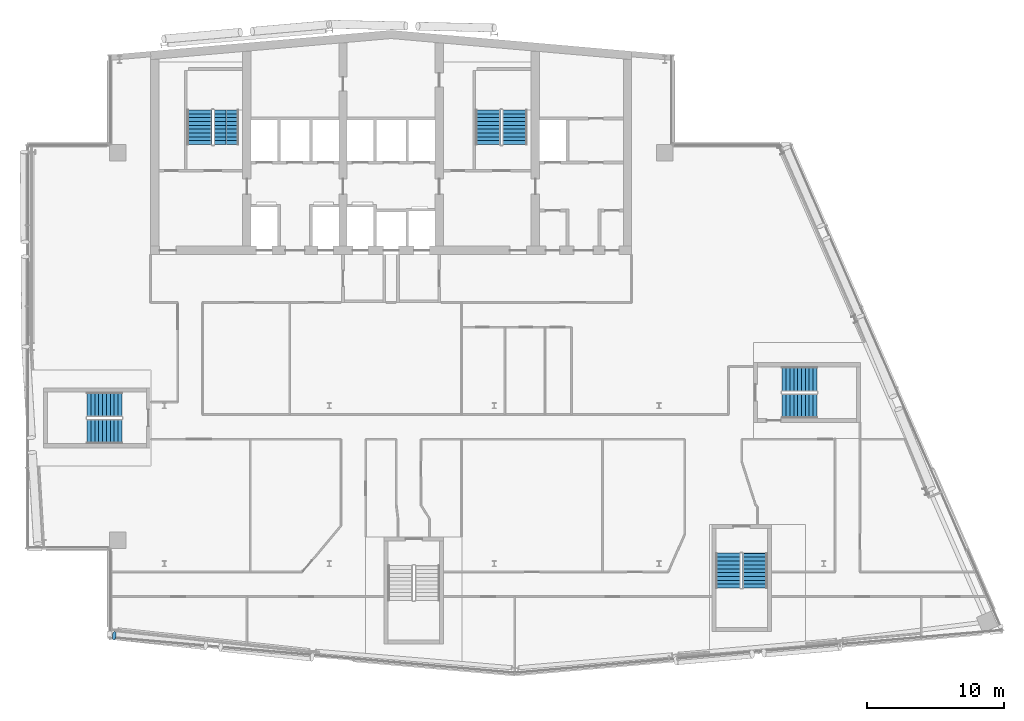
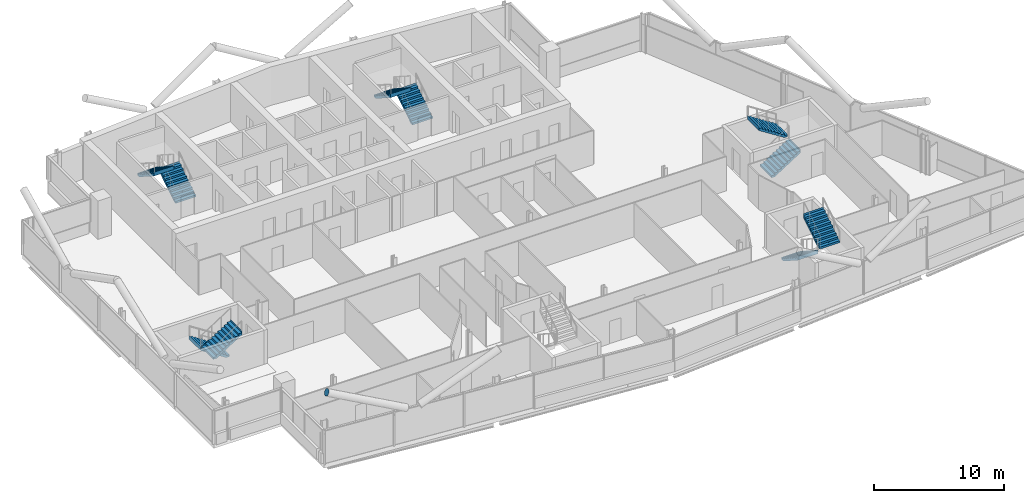
# One storey, part 20 of 27: 10 stair flights, 1 discrete accessory, 5 elements without a shape of their own.
"""IFC4 building model written with IfcOpenShell, lengths in metres."""

from ifc_helpers import new_model, si_unit, direction, frame, origin, origin_2d, place, context, subcontext, project, spatial, polyline, circle, outline, extrude, material, material_profile, profile_set, type_object, element, aggregate, save


model = new_model("IFC4")

# Units and contexts
model_context = context("Model", 3, precision=1e-05, world=origin(), true_north=direction((0.0, 1.0)))
body_context = subcontext(model_context, "Body", "Model", "MODEL_VIEW")
ifc_project = project(units=[si_unit("LENGTHUNIT", "METRE"), si_unit("AREAUNIT", "SQUARE_METRE"), si_unit("VOLUMEUNIT", "CUBIC_METRE"), si_unit("PLANEANGLEUNIT", "RADIAN"), si_unit("MASSUNIT", "GRAM", prefix="KILO")], contexts=[model_context])

# Site, building, storey
site_placement = place(None, origin())
site = spatial("IfcSite", under=ifc_project, at=site_placement, CompositionType="ELEMENT")
building_placement = place(site_placement, origin())
building = spatial("IfcBuilding", under=site, at=building_placement, Name="Wharfspan Tower", CompositionType="ELEMENT")
storey_placement = place(building_placement, frame((0.0, 0.0, 243.100098)))
storey = spatial("IfcBuildingStorey", under=building, at=storey_placement, Name="L61", CompositionType="ELEMENT", Elevation=243.100098)

# Stair, stair flights
ifc_material_1 = material(Name="Concrete C40/50", Category="concrete")
stair_type = type_object("IfcStairType", Name="Half-turn stair 20 risers 180 mm", PredefinedType="HALF_TURN_STAIR", material=ifc_material_1)
stair_1_placement = place(storey_placement, origin())
stair_1 = element("IfcStair", 1, at=stair_1_placement, inside=storey, type_object=stair_type, Name="L61 stair ST1", PredefinedType="HALF_TURN_STAIR")
stair_flight_type = type_object("IfcStairFlightType", Name="Stair flight 20 risers 180 mm", PredefinedType="STRAIGHT", material=ifc_material_1)
stair_flight_1_placement = place(storey_placement, frame((28.5, 42.0, 0.0), z_axis=(0.0, 0.0, 1.0), x_axis=(0.0, 1.0, 0.0)))
stair_flight_1 = element("IfcStairFlight", 2, at=stair_flight_1_placement, type_object=stair_flight_type, Name="ST1 flight 1", NumberOfRisers=10, NumberOfTreads=9, PredefinedType="STRAIGHT", RiserHeight=0.18, TreadLength=0.28, context=body_context, shape_type="SweptSolid", body=[
    extrude(outline(polyline([(-0.011963, 0.0), (-0.011963, 0.179932), (0.0, 0.179932), (0.280029, 0.179932), (0.280029, 0.360107), (0.560059, 0.360107), (0.560059, 0.540039), (0.840088, 0.540039), (0.840088, 0.719971), (1.120117, 0.719971), (1.120117, 0.899902), (1.399902, 0.899902), (1.399902, 1.080078), (1.679932, 1.080078), (1.679932, 1.26001), (1.959961, 1.26001), (1.959961, 1.439941), (2.23999, 1.439941), (2.23999, 1.620117), (2.52002, 1.620117), (2.531982, 1.800049), (2.531982, 1.441895), (0.2771, 0.0), (-0.011963, 0.0)])), frame((0.0, 0.899902, 0.0), z_axis=(0.0, -1.0, 0.0), x_axis=(1.0, 0.0, 0.0)), (0.0, 0.0, 1.0), 0.899414),
    extrude(outline(polyline([(-0.011963, 0.0), (-0.011963, 0.179932), (0.0, 0.179932), (0.280029, 0.179932), (0.280029, 0.360107), (0.560059, 0.360107), (0.560059, 0.540039), (0.840088, 0.540039), (0.840088, 0.719971), (1.120117, 0.719971), (1.120117, 0.899902), (1.399902, 0.899902), (1.399902, 1.080078), (1.679932, 1.080078), (1.679932, 1.26001), (1.959961, 1.26001), (1.959961, 1.439941), (2.23999, 1.439941), (2.23999, 1.620117), (2.52002, 1.620117), (2.531982, 1.800049), (2.531982, 1.441895), (0.2771, 0.0), (-0.011963, 0.0)])), frame((0.0, -0.000488, 0.0), z_axis=(0.0, -1.0, 0.0), x_axis=(1.0, 0.0, 0.0)), (0.0, 0.0, 1.0), 0.899414),
])
stair_flight_2_placement = place(storey_placement, frame((26.550049, 44.52002, 1.799805), z_axis=(0.0, 0.0, 1.0), x_axis=(0.0, -1.0, 0.0)))
stair_flight_2 = element("IfcStairFlight", 3, at=stair_flight_2_placement, type_object=stair_flight_type, Name="ST1 flight 2", NumberOfRisers=10, NumberOfTreads=9, PredefinedType="STRAIGHT", RiserHeight=0.18, TreadLength=0.28, context=body_context, shape_type="SweptSolid", body=[
    extrude(outline(polyline([(-0.011963, 0.0), (-0.011963, 0.179932), (0.0, 0.179932), (0.280029, 0.179932), (0.280029, 0.360107), (0.560059, 0.360107), (0.560059, 0.540039), (0.840088, 0.540039), (0.840088, 0.719971), (1.120117, 0.719971), (1.120117, 0.899902), (1.399902, 0.899902), (1.399902, 1.080078), (1.679932, 1.080078), (1.679932, 1.26001), (1.959961, 1.26001), (1.959961, 1.439941), (2.23999, 1.439941), (2.23999, 1.620117), (2.52002, 1.620117), (2.531982, 1.800049), (2.531982, 1.441895), (0.2771, 0.0), (-0.011963, 0.0)])), frame((0.0, 0.899902, 0.0), z_axis=(0.0, -1.0, 0.0), x_axis=(1.0, 0.0, 0.0)), (0.0, 0.0, 1.0), 0.899414),
    extrude(outline(polyline([(-0.011963, 0.0), (-0.011963, 0.179932), (0.0, 0.179932), (0.280029, 0.179932), (0.280029, 0.360107), (0.560059, 0.360107), (0.560059, 0.540039), (0.840088, 0.540039), (0.840088, 0.719971), (1.120117, 0.719971), (1.120117, 0.899902), (1.399902, 0.899902), (1.399902, 1.080078), (1.679932, 1.080078), (1.679932, 1.26001), (1.959961, 1.26001), (1.959961, 1.439941), (2.23999, 1.439941), (2.23999, 1.620117), (2.52002, 1.620117), (2.531982, 1.800049), (2.531982, 1.441895), (0.2771, 0.0), (-0.011963, 0.0)])), frame((0.0, -0.000488, 0.0), z_axis=(0.0, -1.0, 0.0), x_axis=(1.0, 0.0, 0.0)), (0.0, 0.0, 1.0), 0.899414),
])
aggregate(stair_1, [stair_flight_1, stair_flight_2])

stair_2_placement = place(storey_placement, origin())
stair_2 = element("IfcStair", 4, at=stair_2_placement, inside=storey, type_object=stair_type, Name="L61 stair ST2", PredefinedType="HALF_TURN_STAIR")
stair_flight_3_placement = place(storey_placement, frame((49.5, 42.0, 0.0), z_axis=(0.0, 0.0, 1.0), x_axis=(0.0, 1.0, 0.0)))
stair_flight_3 = element("IfcStairFlight", 5, at=stair_flight_3_placement, type_object=stair_flight_type, Name="ST2 flight 1", NumberOfRisers=10, NumberOfTreads=9, PredefinedType="STRAIGHT", RiserHeight=0.18, TreadLength=0.28, context=body_context, shape_type="SweptSolid", body=[
    extrude(outline(polyline([(-0.011963, 0.0), (-0.011963, 0.179932), (0.0, 0.179932), (0.280029, 0.179932), (0.280029, 0.360107), (0.560059, 0.360107), (0.560059, 0.540039), (0.840088, 0.540039), (0.840088, 0.719971), (1.120117, 0.719971), (1.120117, 0.899902), (1.399902, 0.899902), (1.399902, 1.080078), (1.679932, 1.080078), (1.679932, 1.26001), (1.959961, 1.26001), (1.959961, 1.439941), (2.23999, 1.439941), (2.23999, 1.620117), (2.52002, 1.620117), (2.531982, 1.800049), (2.531982, 1.441895), (0.2771, 0.0), (-0.011963, 0.0)])), frame((0.0, 0.899902, 0.0), z_axis=(0.0, -1.0, 0.0), x_axis=(1.0, 0.0, 0.0)), (0.0, 0.0, 1.0), 0.899414),
    extrude(outline(polyline([(-0.011963, 0.0), (-0.011963, 0.179932), (0.0, 0.179932), (0.280029, 0.179932), (0.280029, 0.360107), (0.560059, 0.360107), (0.560059, 0.540039), (0.840088, 0.540039), (0.840088, 0.719971), (1.120117, 0.719971), (1.120117, 0.899902), (1.399902, 0.899902), (1.399902, 1.080078), (1.679932, 1.080078), (1.679932, 1.26001), (1.959961, 1.26001), (1.959961, 1.439941), (2.23999, 1.439941), (2.23999, 1.620117), (2.52002, 1.620117), (2.531982, 1.800049), (2.531982, 1.441895), (0.2771, 0.0), (-0.011963, 0.0)])), frame((0.0, -0.000488, 0.0), z_axis=(0.0, -1.0, 0.0), x_axis=(1.0, 0.0, 0.0)), (0.0, 0.0, 1.0), 0.899414),
])
stair_flight_4_placement = place(storey_placement, frame((47.550049, 44.52002, 1.799805), z_axis=(0.0, 0.0, 1.0), x_axis=(0.0, -1.0, 0.0)))
stair_flight_4 = element("IfcStairFlight", 6, at=stair_flight_4_placement, type_object=stair_flight_type, Name="ST2 flight 2", NumberOfRisers=10, NumberOfTreads=9, PredefinedType="STRAIGHT", RiserHeight=0.18, TreadLength=0.28, context=body_context, shape_type="SweptSolid", body=[
    extrude(outline(polyline([(-0.011963, 0.0), (-0.011963, 0.179932), (0.0, 0.179932), (0.280029, 0.179932), (0.280029, 0.360107), (0.560059, 0.360107), (0.560059, 0.540039), (0.840088, 0.540039), (0.840088, 0.719971), (1.120117, 0.719971), (1.120117, 0.899902), (1.399902, 0.899902), (1.399902, 1.080078), (1.679932, 1.080078), (1.679932, 1.26001), (1.959961, 1.26001), (1.959961, 1.439941), (2.23999, 1.439941), (2.23999, 1.620117), (2.52002, 1.620117), (2.531982, 1.800049), (2.531982, 1.441895), (0.2771, 0.0), (-0.011963, 0.0)])), frame((0.0, 0.899902, 0.0), z_axis=(0.0, -1.0, 0.0), x_axis=(1.0, 0.0, 0.0)), (0.0, 0.0, 1.0), 0.899414),
    extrude(outline(polyline([(-0.011963, 0.0), (-0.011963, 0.179932), (0.0, 0.179932), (0.280029, 0.179932), (0.280029, 0.360107), (0.560059, 0.360107), (0.560059, 0.540039), (0.840088, 0.540039), (0.840088, 0.719971), (1.120117, 0.719971), (1.120117, 0.899902), (1.399902, 0.899902), (1.399902, 1.080078), (1.679932, 1.080078), (1.679932, 1.26001), (1.959961, 1.26001), (1.959961, 1.439941), (2.23999, 1.439941), (2.23999, 1.620117), (2.52002, 1.620117), (2.531982, 1.800049), (2.531982, 1.441895), (0.2771, 0.0), (-0.011963, 0.0)])), frame((0.0, -0.000488, 0.0), z_axis=(0.0, -1.0, 0.0), x_axis=(1.0, 0.0, 0.0)), (0.0, 0.0, 1.0), 0.899414),
])
aggregate(stair_2, [stair_flight_3, stair_flight_4])

stair_3_placement = place(storey_placement, origin())
stair_3 = element("IfcStair", 7, at=stair_3_placement, inside=storey, type_object=stair_type, Name="L61 stair ST3", PredefinedType="HALF_TURN_STAIR")
stair_flight_5_placement = place(storey_placement, frame((20.899902, 23.074951, 0.0), z_axis=(0.0, 0.0, 1.0), x_axis=(-1.0, 0.0, 0.0)))
stair_flight_5 = element("IfcStairFlight", 8, at=stair_flight_5_placement, type_object=stair_flight_type, Name="ST3 flight 1", NumberOfRisers=10, NumberOfTreads=9, PredefinedType="STRAIGHT", RiserHeight=0.18, TreadLength=0.28, context=body_context, shape_type="SweptSolid", body=[
    extrude(outline(polyline([(-0.011963, 0.0), (-0.011963, 0.179932), (0.0, 0.179932), (0.280029, 0.179932), (0.280029, 0.360107), (0.560059, 0.360107), (0.560059, 0.540039), (0.840088, 0.540039), (0.840088, 0.719971), (1.120117, 0.719971), (1.120117, 0.899902), (1.399902, 0.899902), (1.399902, 1.080078), (1.679932, 1.080078), (1.679932, 1.26001), (1.959961, 1.26001), (1.959961, 1.439941), (2.23999, 1.439941), (2.23999, 1.620117), (2.52002, 1.620117), (2.531982, 1.800049), (2.531982, 1.441895), (0.2771, 0.0), (-0.011963, 0.0)])), frame((0.0, 0.899902, 0.0), z_axis=(0.0, -1.0, 0.0), x_axis=(1.0, 0.0, 0.0)), (0.0, 0.0, 1.0), 0.899414),
    extrude(outline(polyline([(-0.011963, 0.0), (-0.011963, 0.179932), (0.0, 0.179932), (0.280029, 0.179932), (0.280029, 0.360107), (0.560059, 0.360107), (0.560059, 0.540039), (0.840088, 0.540039), (0.840088, 0.719971), (1.120117, 0.719971), (1.120117, 0.899902), (1.399902, 0.899902), (1.399902, 1.080078), (1.679932, 1.080078), (1.679932, 1.26001), (1.959961, 1.26001), (1.959961, 1.439941), (2.23999, 1.439941), (2.23999, 1.620117), (2.52002, 1.620117), (2.531982, 1.800049), (2.531982, 1.441895), (0.2771, 0.0), (-0.011963, 0.0)])), frame((0.0, -0.000488, 0.0), z_axis=(0.0, -1.0, 0.0), x_axis=(1.0, 0.0, 0.0)), (0.0, 0.0, 1.0), 0.899414),
])
stair_flight_6_placement = place(storey_placement, frame((18.379883, 21.125, 1.799805), z_axis=(0.0, 0.0, 1.0), x_axis=(1.0, 0.0, 0.0)))
stair_flight_6 = element("IfcStairFlight", 9, at=stair_flight_6_placement, type_object=stair_flight_type, Name="ST3 flight 2", NumberOfRisers=10, NumberOfTreads=9, PredefinedType="STRAIGHT", RiserHeight=0.18, TreadLength=0.28, context=body_context, shape_type="SweptSolid", body=[
    extrude(outline(polyline([(-0.011963, 0.0), (-0.011963, 0.179932), (0.0, 0.179932), (0.280029, 0.179932), (0.280029, 0.360107), (0.560059, 0.360107), (0.560059, 0.540039), (0.840088, 0.540039), (0.840088, 0.719971), (1.120117, 0.719971), (1.120117, 0.899902), (1.399902, 0.899902), (1.399902, 1.080078), (1.679932, 1.080078), (1.679932, 1.26001), (1.959961, 1.26001), (1.959961, 1.439941), (2.23999, 1.439941), (2.23999, 1.620117), (2.52002, 1.620117), (2.531982, 1.800049), (2.531982, 1.441895), (0.2771, 0.0), (-0.011963, 0.0)])), frame((0.0, 0.899902, 0.0), z_axis=(0.0, -1.0, 0.0), x_axis=(1.0, 0.0, 0.0)), (0.0, 0.0, 1.0), 0.899414),
    extrude(outline(polyline([(-0.011963, 0.0), (-0.011963, 0.179932), (0.0, 0.179932), (0.280029, 0.179932), (0.280029, 0.360107), (0.560059, 0.360107), (0.560059, 0.540039), (0.840088, 0.540039), (0.840088, 0.719971), (1.120117, 0.719971), (1.120117, 0.899902), (1.399902, 0.899902), (1.399902, 1.080078), (1.679932, 1.080078), (1.679932, 1.26001), (1.959961, 1.26001), (1.959961, 1.439941), (2.23999, 1.439941), (2.23999, 1.620117), (2.52002, 1.620117), (2.531982, 1.800049), (2.531982, 1.441895), (0.2771, 0.0), (-0.011963, 0.0)])), frame((0.0, -0.000488, 0.0), z_axis=(0.0, -1.0, 0.0), x_axis=(1.0, 0.0, 0.0)), (0.0, 0.0, 1.0), 0.899414),
])
aggregate(stair_3, [stair_flight_5, stair_flight_6])

stair_4_placement = place(storey_placement, origin())
stair_4 = element("IfcStair", 10, at=stair_4_placement, inside=storey, type_object=stair_type, Name="L61 stair ST5", PredefinedType="HALF_TURN_STAIR")
stair_flight_7_placement = place(storey_placement, frame((65.043701, 12.246094, 0.0), z_axis=(0.0, 0.0, 1.0), x_axis=(0.0, -1.0, 0.0)))
stair_flight_7 = element("IfcStairFlight", 11, at=stair_flight_7_placement, type_object=stair_flight_type, Name="ST5 flight 1", NumberOfRisers=10, NumberOfTreads=9, PredefinedType="STRAIGHT", RiserHeight=0.18, TreadLength=0.28, context=body_context, shape_type="SweptSolid", body=[
    extrude(outline(polyline([(-0.011963, 0.0), (-0.011963, 0.179932), (0.0, 0.179932), (0.280029, 0.179932), (0.280029, 0.360107), (0.560059, 0.360107), (0.560059, 0.540039), (0.840088, 0.540039), (0.840088, 0.719971), (1.120117, 0.719971), (1.120117, 0.899902), (1.399902, 0.899902), (1.399902, 1.080078), (1.679932, 1.080078), (1.679932, 1.26001), (1.959961, 1.26001), (1.959961, 1.439941), (2.23999, 1.439941), (2.23999, 1.620117), (2.52002, 1.620117), (2.531982, 1.800049), (2.531982, 1.441895), (0.2771, 0.0), (-0.011963, 0.0)])), frame((0.0, 0.899902, 0.0), z_axis=(0.0, -1.0, 0.0), x_axis=(1.0, 0.0, 0.0)), (0.0, 0.0, 1.0), 0.899414),
    extrude(outline(polyline([(-0.011963, 0.0), (-0.011963, 0.179932), (0.0, 0.179932), (0.280029, 0.179932), (0.280029, 0.360107), (0.560059, 0.360107), (0.560059, 0.540039), (0.840088, 0.540039), (0.840088, 0.719971), (1.120117, 0.719971), (1.120117, 0.899902), (1.399902, 0.899902), (1.399902, 1.080078), (1.679932, 1.080078), (1.679932, 1.26001), (1.959961, 1.26001), (1.959961, 1.439941), (2.23999, 1.439941), (2.23999, 1.620117), (2.52002, 1.620117), (2.531982, 1.800049), (2.531982, 1.441895), (0.2771, 0.0), (-0.011963, 0.0)])), frame((0.0, -0.000488, 0.0), z_axis=(0.0, -1.0, 0.0), x_axis=(1.0, 0.0, 0.0)), (0.0, 0.0, 1.0), 0.899414),
])
stair_flight_8_placement = place(storey_placement, frame((66.993896, 9.726074, 1.799805), z_axis=(0.0, 0.0, 1.0), x_axis=(0.0, 1.0, 0.0)))
stair_flight_8 = element("IfcStairFlight", 12, at=stair_flight_8_placement, type_object=stair_flight_type, Name="ST5 flight 2", NumberOfRisers=10, NumberOfTreads=9, PredefinedType="STRAIGHT", RiserHeight=0.18, TreadLength=0.28, context=body_context, shape_type="SweptSolid", body=[
    extrude(outline(polyline([(-0.011963, 0.0), (-0.011963, 0.179932), (0.0, 0.179932), (0.280029, 0.179932), (0.280029, 0.360107), (0.560059, 0.360107), (0.560059, 0.540039), (0.840088, 0.540039), (0.840088, 0.719971), (1.120117, 0.719971), (1.120117, 0.899902), (1.399902, 0.899902), (1.399902, 1.080078), (1.679932, 1.080078), (1.679932, 1.26001), (1.959961, 1.26001), (1.959961, 1.439941), (2.23999, 1.439941), (2.23999, 1.620117), (2.52002, 1.620117), (2.531982, 1.800049), (2.531982, 1.441895), (0.2771, 0.0), (-0.011963, 0.0)])), frame((0.0, 0.899902, 0.0), z_axis=(0.0, -1.0, 0.0), x_axis=(1.0, 0.0, 0.0)), (0.0, 0.0, 1.0), 0.899414),
    extrude(outline(polyline([(-0.011963, 0.0), (-0.011963, 0.179932), (0.0, 0.179932), (0.280029, 0.179932), (0.280029, 0.360107), (0.560059, 0.360107), (0.560059, 0.540039), (0.840088, 0.540039), (0.840088, 0.719971), (1.120117, 0.719971), (1.120117, 0.899902), (1.399902, 0.899902), (1.399902, 1.080078), (1.679932, 1.080078), (1.679932, 1.26001), (1.959961, 1.26001), (1.959961, 1.439941), (2.23999, 1.439941), (2.23999, 1.620117), (2.52002, 1.620117), (2.531982, 1.800049), (2.531982, 1.441895), (0.2771, 0.0), (-0.011963, 0.0)])), frame((0.0, -0.000488, 0.0), z_axis=(0.0, -1.0, 0.0), x_axis=(1.0, 0.0, 0.0)), (0.0, 0.0, 1.0), 0.899414),
])
aggregate(stair_4, [stair_flight_7, stair_flight_8])

stair_5_placement = place(storey_placement, origin())
stair_5 = element("IfcStair", 13, at=stair_5_placement, inside=storey, type_object=stair_type, Name="L61 stair ST6", PredefinedType="HALF_TURN_STAIR")
stair_flight_9_placement = place(storey_placement, frame((68.969482, 22.975098, 0.0), z_axis=(0.0, 0.0, 1.0), x_axis=(1.0, 0.0, 0.0)))
stair_flight_9 = element("IfcStairFlight", 14, at=stair_flight_9_placement, type_object=stair_flight_type, Name="ST6 flight 1", NumberOfRisers=10, NumberOfTreads=9, PredefinedType="STRAIGHT", RiserHeight=0.18, TreadLength=0.28, context=body_context, shape_type="SweptSolid", body=[
    extrude(outline(polyline([(-0.011963, 0.0), (-0.011963, 0.179932), (0.0, 0.179932), (0.280029, 0.179932), (0.280029, 0.360107), (0.560059, 0.360107), (0.560059, 0.540039), (0.840088, 0.540039), (0.840088, 0.719971), (1.120117, 0.719971), (1.120117, 0.899902), (1.399902, 0.899902), (1.399902, 1.080078), (1.679932, 1.080078), (1.679932, 1.26001), (1.959961, 1.26001), (1.959961, 1.439941), (2.23999, 1.439941), (2.23999, 1.620117), (2.52002, 1.620117), (2.531982, 1.800049), (2.531982, 1.441895), (0.2771, 0.0), (-0.011963, 0.0)])), frame((0.0, 0.899902, 0.0), z_axis=(0.0, -1.0, 0.0), x_axis=(1.0, 0.0, 0.0)), (0.0, 0.0, 1.0), 0.899414),
    extrude(outline(polyline([(-0.011963, 0.0), (-0.011963, 0.179932), (0.0, 0.179932), (0.280029, 0.179932), (0.280029, 0.360107), (0.560059, 0.360107), (0.560059, 0.540039), (0.840088, 0.540039), (0.840088, 0.719971), (1.120117, 0.719971), (1.120117, 0.899902), (1.399902, 0.899902), (1.399902, 1.080078), (1.679932, 1.080078), (1.679932, 1.26001), (1.959961, 1.26001), (1.959961, 1.439941), (2.23999, 1.439941), (2.23999, 1.620117), (2.52002, 1.620117), (2.531982, 1.800049), (2.531982, 1.441895), (0.2771, 0.0), (-0.011963, 0.0)])), frame((0.0, -0.000488, 0.0), z_axis=(0.0, -1.0, 0.0), x_axis=(1.0, 0.0, 0.0)), (0.0, 0.0, 1.0), 0.899414),
])
stair_flight_10_placement = place(storey_placement, frame((71.489502, 24.925049, 1.799805), z_axis=(0.0, 0.0, 1.0), x_axis=(-1.0, 0.0, 0.0)))
stair_flight_10 = element("IfcStairFlight", 15, at=stair_flight_10_placement, type_object=stair_flight_type, Name="ST6 flight 2", NumberOfRisers=10, NumberOfTreads=9, PredefinedType="STRAIGHT", RiserHeight=0.18, TreadLength=0.28, context=body_context, shape_type="SweptSolid", body=[
    extrude(outline(polyline([(-0.011963, 0.0), (-0.011963, 0.179932), (0.0, 0.179932), (0.280029, 0.179932), (0.280029, 0.360107), (0.560059, 0.360107), (0.560059, 0.540039), (0.840088, 0.540039), (0.840088, 0.719971), (1.120117, 0.719971), (1.120117, 0.899902), (1.399902, 0.899902), (1.399902, 1.080078), (1.679932, 1.080078), (1.679932, 1.26001), (1.959961, 1.26001), (1.959961, 1.439941), (2.23999, 1.439941), (2.23999, 1.620117), (2.52002, 1.620117), (2.531982, 1.800049), (2.531982, 1.441895), (0.2771, 0.0), (-0.011963, 0.0)])), frame((0.0, 0.899902, 0.0), z_axis=(0.0, -1.0, 0.0), x_axis=(1.0, 0.0, 0.0)), (0.0, 0.0, 1.0), 0.899414),
    extrude(outline(polyline([(-0.011963, 0.0), (-0.011963, 0.179932), (0.0, 0.179932), (0.280029, 0.179932), (0.280029, 0.360107), (0.560059, 0.360107), (0.560059, 0.540039), (0.840088, 0.540039), (0.840088, 0.719971), (1.120117, 0.719971), (1.120117, 0.899902), (1.399902, 0.899902), (1.399902, 1.080078), (1.679932, 1.080078), (1.679932, 1.26001), (1.959961, 1.26001), (1.959961, 1.439941), (2.23999, 1.439941), (2.23999, 1.620117), (2.52002, 1.620117), (2.531982, 1.800049), (2.531982, 1.441895), (0.2771, 0.0), (-0.011963, 0.0)])), frame((0.0, -0.000488, 0.0), z_axis=(0.0, -1.0, 0.0), x_axis=(1.0, 0.0, 0.0)), (0.0, 0.0, 1.0), 0.899414),
])
aggregate(stair_5, [stair_flight_9, stair_flight_10])

# Discrete accessory
ifc_material_2 = material(Name="Steel S460NH", Category="steel")
ifc_material_profile = material_profile(ifc_material_2, circle(Radius=0.304932, at=origin_2d()))
ifc_profile_set = profile_set([ifc_material_profile], Name="Steel S460NH")
discrete_accessory_type = type_object("IfcDiscreteAccessoryType", Name="End plate CHS 610x25", PredefinedType="BRACKET", material=ifc_profile_set)
discrete_accessory_placement = place(storey_placement, frame((20.352539, 6.249268, 6.5), z_axis=(-0.890043, 0.098894, 0.445021), x_axis=(-0.110431, -0.99388, 1e-06)))
element("IfcDiscreteAccessory", 16, at=discrete_accessory_placement, inside=storey, type_object=discrete_accessory_type, Name="End plate CHS 610x25", PredefinedType="BRACKET", context=body_context, shape_type="SweptSolid", body=[
    extrude(circle(Radius=0.304932, at=origin_2d()), origin(), (0.0, 0.0, 1.0), 0.009766),
])

save(model, "model.ifc")
